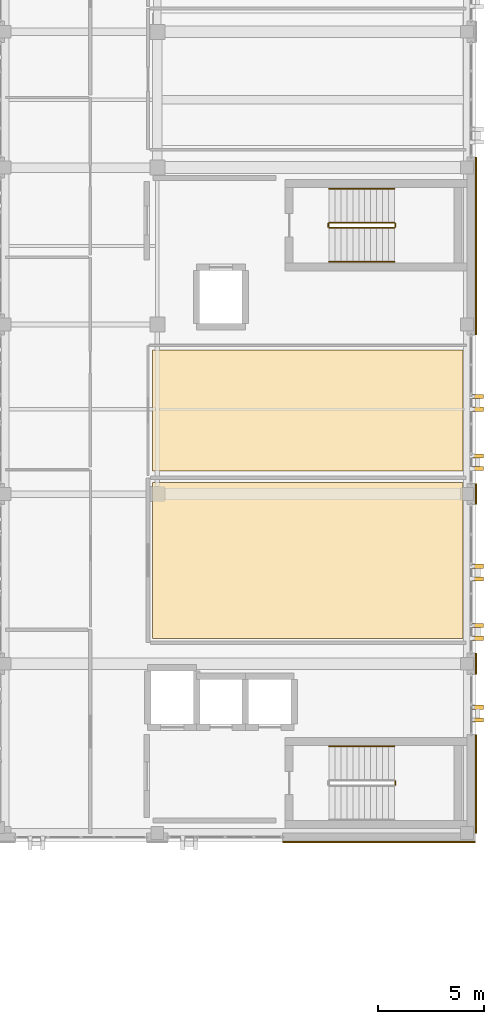
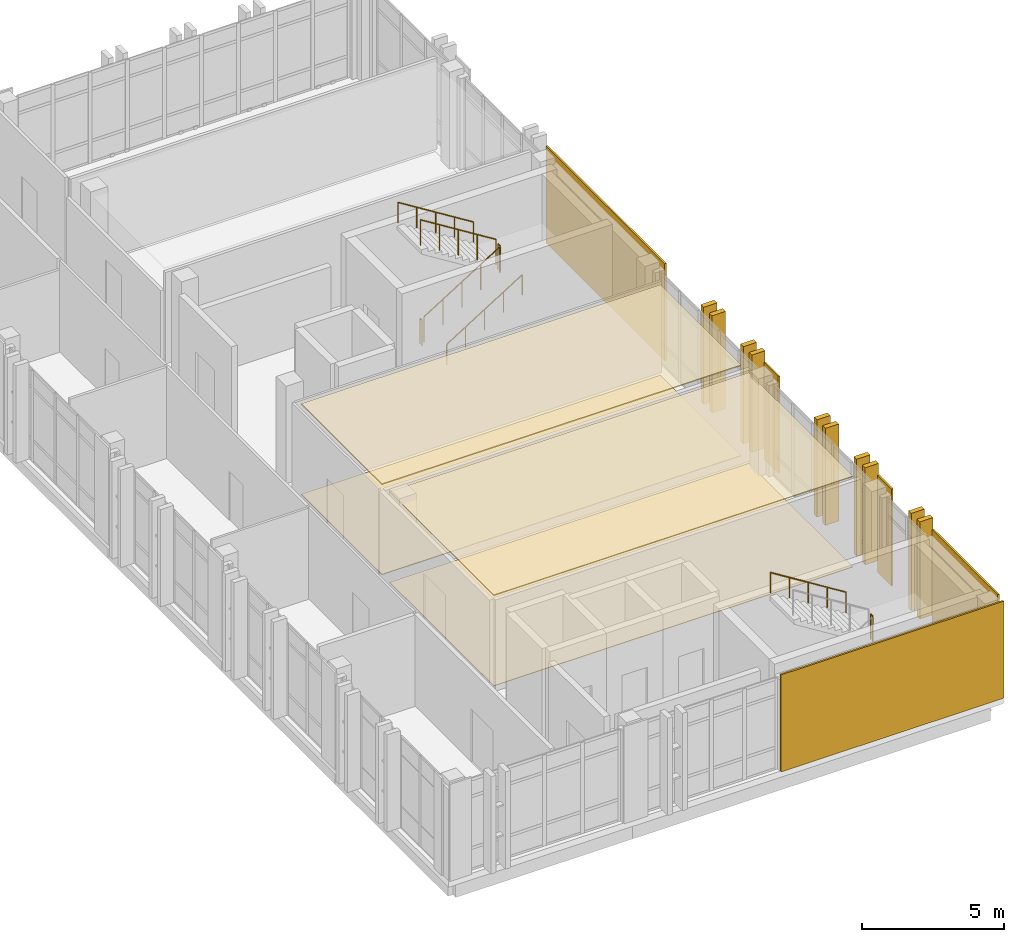
# One storey, part 81 of 90: 19 coverings, 8 railings.
"""IFC4 building model written with IfcOpenShell, lengths in metres."""

from ifc_helpers import new_model, si_unit, direction, frame, origin, origin_2d, place, context, subcontext, project, spatial, polyline, rectangle, circle, outline, extrude, material, layer, layer_set, type_object, element, save


model = new_model("IFC4")

# Units and contexts
model_context = context("Model", 3, precision=1e-05, world=origin(), true_north=direction((0.0, 1.0)))
body_context = subcontext(model_context, "Body", "Model", "MODEL_VIEW")
ifc_project = project(units=[si_unit("LENGTHUNIT", "METRE"), si_unit("AREAUNIT", "SQUARE_METRE"), si_unit("VOLUMEUNIT", "CUBIC_METRE"), si_unit("PLANEANGLEUNIT", "RADIAN"), si_unit("MASSUNIT", "GRAM", prefix="KILO")], contexts=[model_context])

# Site, building, storey
site_placement = place(None, origin())
site = spatial("IfcSite", under=ifc_project, at=site_placement, CompositionType="ELEMENT")
building_placement = place(site_placement, origin())
building = spatial("IfcBuilding", under=site, at=building_placement, Name="Qalavern Law Courts", CompositionType="ELEMENT")
storey_placement = place(building_placement, frame((0.0, 0.0, 22.800048828125)))
storey = spatial("IfcBuildingStorey", under=building, at=storey_placement, Name="L05", CompositionType="ELEMENT", Elevation=22.800048828125)

# Coverings
ifc_material_1 = material(Name="Precast concrete C40/50", Category="concrete")
ifc_layer_1 = layer(ifc_material_1, 0.199951171875)
ifc_layer_set_1 = layer_set([ifc_layer_1], Name="Precast concrete C40/50")
covering_type_1 = type_object("IfcCoveringType", Name="ENV-BLD-1", PredefinedType="CLADDING", material=ifc_layer_set_1)
for number, where, z_axis, x_axis, name in (
    (1, (106.91748046875, 46.75, 0.0048828125), (0.0, 0.0, 1.0), (1.0, 0.0, 0.0), "Absheron stone facade blade 0717"),
    (2, (106.91748046875, 47.35009765625, 0.0048828125), (0.0, 0.0, 1.0), (1.0, 0.0, 0.0), "Absheron stone facade blade 0718"),
    (3, (106.91748046875, 50.60009765625, 0.0048828125), (0.0, 0.0, 1.0), (1.0, 0.0, 0.0), "Absheron stone facade blade 0719"),
    (4, (106.91748046875, 51.199951171875, 0.0048828125), (0.0, 0.0, 1.0), (1.0, 0.0, 0.0), "Absheron stone facade blade 0720"),
    (5, (106.91748046875, 53.39990234375, 0.0048828125), (0.0, 0.0, 1.0), (1.0, 0.0, 0.0), "Absheron stone facade blade 0721"),
    (6, (106.91748046875, 54.0, 0.0048828125), (0.0, 0.0, 1.0), (1.0, 0.0, 0.0), "Absheron stone facade blade 0722"),
    (7, (106.91748046875, 58.60009765625, 0.0048828125), (0.0, 0.0, 1.0), (1.0, 0.0, 0.0), "Absheron stone facade blade 0723"),
    (8, (106.91748046875, 59.199951171875, 0.0048828125), (0.0, 0.0, 1.0), (1.0, 0.0, 0.0), "Absheron stone facade blade 0724"),
    (9, (106.91748046875, 61.39990234375, 0.0048828125), (0.0, 0.0, 1.0), (1.0, 0.0, 0.0), "Absheron stone facade blade 0725"),
    (10, (106.91748046875, 62.0, 0.0048828125), (0.0, 0.0, 1.0), (1.0, 0.0, 0.0), "Absheron stone facade blade 0726"),
):
    element("IfcCovering", number, at=place(storey_placement, frame(where, z_axis=z_axis, x_axis=x_axis)), inside=storey, type_object=covering_type_1, Name=name, PredefinedType="CLADDING", context=body_context, shape_type="SweptSolid", body=[
        extrude(rectangle(XDim=0.5400390625, YDim=0.199951171875, at=origin_2d()), origin(), (0.0, 0.0, 1.0), 4.18994140625),
    ])
ifc_layer_2 = layer(ifc_material_1, 0.072021484375)
ifc_layer_set_2 = layer_set([ifc_layer_2], Name="Precast concrete C40/50")
covering_type_2 = type_object("IfcCoveringType", Name="ENV-CLD-2", PredefinedType="CLADDING", material=ifc_layer_set_2)
covering_1_placement = place(storey_placement, frame((102.25, 40.987060546875, 0.009765625), z_axis=(0.0, 0.0, 1.0), x_axis=(1.0, 0.0, 0.0)))
element("IfcCovering", 11, at=covering_1_placement, inside=storey, type_object=covering_type_2, Name="V4 Absheron limestone pier facing L05 south 3", PredefinedType="CLADDING", context=body_context, shape_type="SweptSolid", body=[
    extrude(rectangle(XDim=9.080078125, YDim=0.072021484375, at=origin_2d()), origin(), (0.0, 0.0, 1.0), 4.179931640625),
])
covering_2_placement = place(storey_placement, frame((106.8330078125, 43.72509765625, 0.009765625), z_axis=(0.0, 0.0, 1.0), x_axis=(0.0, 1.0, 0.0)))
element("IfcCovering", 12, at=covering_2_placement, inside=storey, type_object=covering_type_2, Name="V4 Absheron limestone pier facing L05 east 1", PredefinedType="CLADDING", context=body_context, shape_type="SweptSolid", body=[
    extrude(rectangle(XDim=4.6298828125, YDim=0.072021484375, at=origin_2d()), origin(), (0.0, 0.0, 1.0), 4.179931640625),
])
for number, where, z_axis, x_axis, name in (
    (13, (106.8330078125, 49.39990234375, 0.009765625), (0.0, 0.0, 1.0), (0.0, 1.0, 0.0), "V4 Absheron limestone pier facing L05 east 2"),
    (14, (106.8330078125, 57.39990234375, 0.009765625), (0.0, 0.0, 1.0), (0.0, 1.0, 0.0), "V4 Absheron limestone pier facing L05 east 3"),
):
    element("IfcCovering", number, at=place(storey_placement, frame(where, z_axis=z_axis, x_axis=x_axis)), inside=storey, type_object=covering_type_2, Name=name, PredefinedType="CLADDING", context=body_context, shape_type="SweptSolid", body=[
        extrude(rectangle(XDim=0.97998046875, YDim=0.072021484375, at=origin_2d()), origin(), (0.0, 0.0, 1.0), 4.179931640625),
    ])
covering_3_placement = place(storey_placement, frame((106.8330078125, 69.10009765625, 0.009765625), z_axis=(0.0, 0.0, 1.0), x_axis=(0.0, 1.0, 0.0)))
element("IfcCovering", 15, at=covering_3_placement, inside=storey, type_object=covering_type_2, Name="V4 Absheron limestone pier facing L05 east 4", PredefinedType="CLADDING", context=body_context, shape_type="SweptSolid", body=[
    extrude(rectangle(XDim=8.3798828125, YDim=0.072021484375, at=origin_2d()), origin(), (0.0, 0.0, 1.0), 4.179931640625),
])
ifc_material_2 = material(Name="Perforated gypsum and mineral-wool acoustic ceiling")
ifc_layer_3 = layer(ifc_material_2, 0.0380859375)
ifc_layer_set_3 = layer_set([ifc_layer_3], Name="Perforated gypsum and mineral-wool acoustic ceiling")
covering_type_3 = type_object("IfcCoveringType", Name="INT-CEIL-1", PredefinedType="CEILING", material=ifc_layer_set_3)
covering_4_placement = place(storey_placement, frame((0.0, 0.0, 3.891845703125)))
element("IfcCovering", 16, at=covering_4_placement, inside=storey, type_object=covering_type_3, Name="Appellate Courtroom acoustic ceiling L05", PredefinedType="CEILING", context=body_context, shape_type="SweptSolid", body=[
    extrude(outline(polyline([(91.570068359375, 50.60009765625), (106.2099609375, 50.60009765625), (106.2099609375, 57.955078125), (91.570068359375, 57.955078125), (91.570068359375, 50.60009765625)])), origin(), (0.0, 0.0, 1.0), 0.0380859375),
])
ifc_layer_4 = layer(ifc_material_2, 0.0458984375)
ifc_layer_set_4 = layer_set([ifc_layer_4], Name="Perforated gypsum and mineral-wool acoustic ceiling")
covering_type_4 = type_object("IfcCoveringType", Name="INT-CEIL-2", PredefinedType="CEILING", material=ifc_layer_set_4)
covering_5_placement = place(storey_placement, frame((0.0, 0.0, 3.884033203125)))
element("IfcCovering", 17, at=covering_5_placement, inside=storey, type_object=covering_type_4, Name="Civil Courtroom acoustic ceiling L05", PredefinedType="CEILING", context=body_context, shape_type="SweptSolid", body=[
    extrude(outline(polyline([(91.570068359375, 58.4951171875), (106.2099609375, 58.4951171875), (106.2099609375, 64.199951171875), (91.570068359375, 64.199951171875), (91.570068359375, 58.4951171875)])), origin(), (0.0, 0.0, 1.0), 0.0458984375),
])
ifc_material_3 = material(Name="Acoustic engineered oak courtroom flooring")
ifc_layer_5 = layer(ifc_material_3, 0.02197265625)
ifc_layer_set_5 = layer_set([ifc_layer_5], Name="Acoustic engineered oak courtroom flooring")
covering_type_5 = type_object("IfcCoveringType", Name="INT-FLR-1", PredefinedType="FLOORING", material=ifc_layer_set_5)
covering_6_placement = place(storey_placement, origin())
element("IfcCovering", 18, at=covering_6_placement, inside=storey, type_object=covering_type_5, Name="Appellate Courtroom finish flooring L05", PredefinedType="FLOORING", context=body_context, shape_type="SweptSolid", body=[
    extrude(outline(polyline([(91.570068359375, 50.60009765625), (106.2099609375, 50.60009765625), (106.2099609375, 57.955078125), (91.570068359375, 57.955078125), (91.570068359375, 50.60009765625)])), origin(), (0.0, 0.0, 1.0), 0.02197265625),
])
ifc_material_4 = material(Name="Polished Absheron stone terrazzo flooring", Category="masonry")
ifc_layer_6 = layer(ifc_material_4, 0.030029296875)
ifc_layer_set_6 = layer_set([ifc_layer_6], Name="Polished Absheron stone terrazzo flooring")
covering_type_6 = type_object("IfcCoveringType", Name="INT-FLR-2", PredefinedType="FLOORING", material=ifc_layer_set_6)
covering_7_placement = place(storey_placement, origin())
element("IfcCovering", 19, at=covering_7_placement, inside=storey, type_object=covering_type_6, Name="Civil Courtroom finish flooring L05", PredefinedType="FLOORING", context=body_context, shape_type="SweptSolid", body=[
    extrude(outline(polyline([(91.570068359375, 58.4951171875), (106.2099609375, 58.4951171875), (106.2099609375, 64.199951171875), (91.570068359375, 64.199951171875), (91.570068359375, 58.4951171875)])), origin(), (0.0, 0.0, 1.0), 0.030029296875),
])

# Railings
ifc_material_5 = material(Name="Steel S355", Category="steel")
railing_type_1 = type_object("IfcRailingType", Name="INT-GUARD-1120", PredefinedType="BALUSTRADE", material=ifc_material_5)
railing_1_placement = place(storey_placement, frame((103.030029296875, 43.699951171875, 2.099853515625)))
element("IfcRailing", 20, at=railing_1_placement, inside=storey, type_object=railing_type_1, Name="L05 ST-K1A stair guard 2", PredefinedType="BALUSTRADE", context=body_context, shape_type="SweptSolid", body=[
    extrude(circle(Radius=0.02392578125, at=origin_2d()), frame((0.0, 0.0, 1.09619140625), z_axis=(0.0, 1.0, 0.0), x_axis=(-1.0, 0.0, 0.0)), (0.0, 0.0, 1.0), 0.150146484375),
    extrude(circle(Radius=0.02099609375, at=origin_2d()), origin(), (0.0, 0.0, 1.0), 1.072021484375),
    extrude(circle(Radius=0.02099609375, at=origin_2d()), frame((0.0, 0.150146484375, 0.0)), (0.0, 0.0, 1.0), 1.072021484375),
])
railing_2_placement = place(storey_placement, frame((99.89990234375, 69.949951171875, 0.175048828125)))
element("IfcRailing", 21, at=railing_2_placement, inside=storey, type_object=railing_type_1, Name="L05 ST-K1B stair guard 1", PredefinedType="BALUSTRADE", context=body_context, shape_type="SweptSolid", body=[
    extrude(circle(Radius=0.02392578125, at=origin_2d()), frame((0.0, 0.0, 1.09619140625), z_axis=(0.848028513186, 0.0, 0.529950602248), x_axis=(0.0, 1.0, 0.0)), (0.0, 0.0, 1.0), 3.632080078125),
    extrude(circle(Radius=0.02099609375, at=origin_2d()), origin(), (0.0, 0.0, 1.0), 1.072021484375),
    extrude(circle(Radius=0.02099609375, at=origin_2d()), frame((0.77001953125, 0.0, 0.481201171875)), (0.0, 0.0, 1.0), 1.072021484375),
    extrude(circle(Radius=0.02099609375, at=origin_2d()), frame((1.5400390625, 0.0, 0.96240234375)), (0.0, 0.0, 1.0), 1.072021484375),
    extrude(circle(Radius=0.02099609375, at=origin_2d()), frame((2.31005859375, 0.0, 1.443603515625)), (0.0, 0.0, 1.0), 1.072021484375),
    extrude(circle(Radius=0.02099609375, at=origin_2d()), frame((3.080078125, 0.0, 1.9248046875)), (0.0, 0.0, 1.0), 1.072021484375),
])
railing_3_placement = place(storey_placement, frame((103.030029296875, 70.0, 2.099853515625)))
element("IfcRailing", 22, at=railing_3_placement, inside=storey, type_object=railing_type_1, Name="L05 ST-K1B stair guard 2", PredefinedType="BALUSTRADE", context=body_context, shape_type="SweptSolid", body=[
    extrude(circle(Radius=0.02392578125, at=origin_2d()), frame((0.0, 0.0, 1.09619140625), z_axis=(0.0, 1.0, 0.0), x_axis=(-1.0, 0.0, 0.0)), (0.0, 0.0, 1.0), 0.14990234375),
    extrude(circle(Radius=0.02099609375, at=origin_2d()), origin(), (0.0, 0.0, 1.0), 1.072021484375),
    extrude(circle(Radius=0.02099609375, at=origin_2d()), frame((0.0, 0.14990234375, 0.0)), (0.0, 0.0, 1.0), 1.072021484375),
])
railing_4_placement = place(storey_placement, frame((102.97998046875, 70.199951171875, 2.27490234375)))
element("IfcRailing", 23, at=railing_4_placement, inside=storey, type_object=railing_type_1, Name="L05 ST-K1B stair guard 3", PredefinedType="BALUSTRADE", context=body_context, shape_type="SweptSolid", body=[
    extrude(circle(Radius=0.02392578125, at=origin_2d()), frame((0.0, 0.0, 1.09619140625), z_axis=(-0.847998304005, 0.0, 0.529998940003), x_axis=(0.0, -1.0, 0.0)), (0.0, 0.0, 1.0), 3.632080078125),
    extrude(circle(Radius=0.02099609375, at=origin_2d()), origin(), (0.0, 0.0, 1.0), 1.072021484375),
    extrude(circle(Radius=0.02099609375, at=origin_2d()), frame((-0.77001953125, 0.0, 0.481201171875)), (0.0, 0.0, 1.0), 1.072021484375),
    extrude(circle(Radius=0.02099609375, at=origin_2d()), frame((-1.5400390625, 0.0, 0.96240234375)), (0.0, 0.0, 1.0), 1.072021484375),
    extrude(circle(Radius=0.02099609375, at=origin_2d()), frame((-2.31005859375, 0.0, 1.44384765625)), (0.0, 0.0, 1.0), 1.072021484375),
    extrude(circle(Radius=0.02099609375, at=origin_2d()), frame((-3.080078125, 0.0, 1.925048828125)), (0.0, 0.0, 1.0), 1.072021484375),
])
railing_5_placement = place(storey_placement, frame((99.85009765625, 70.0, 0.0)))
element("IfcRailing", 24, at=railing_5_placement, inside=storey, type_object=railing_type_1, Name="L05 ST-K1B stair guard 4", PredefinedType="BALUSTRADE", context=body_context, shape_type="SweptSolid", body=[
    extrude(circle(Radius=0.02392578125, at=origin_2d()), frame((0.0, 0.0, 1.09619140625), z_axis=(0.0, 1.0, 0.0), x_axis=(-1.0, 0.0, 0.0)), (0.0, 0.0, 1.0), 0.14990234375),
    extrude(circle(Radius=0.02099609375, at=origin_2d()), origin(), (0.0, 0.0, 1.0), 1.072021484375),
    extrude(circle(Radius=0.02099609375, at=origin_2d()), frame((0.0, 0.14990234375, 0.0)), (0.0, 0.0, 1.0), 1.072021484375),
])
railing_type_2 = type_object("IfcRailingType", Name="INT-HRAIL-920", PredefinedType="HANDRAIL", material=ifc_material_5)
railing_6_placement = place(storey_placement, frame((102.97998046875, 45.5, 2.27490234375)))
element("IfcRailing", 25, at=railing_6_placement, inside=storey, type_object=railing_type_2, Name="L05 ST-K1A stair handrail 2", PredefinedType="HANDRAIL", context=body_context, shape_type="SweptSolid", body=[
    extrude(circle(Radius=0.02392578125, at=origin_2d()), frame((0.0, 0.0, 0.8759765625), z_axis=(-0.847998304005, 0.0, 0.529998940003), x_axis=(0.0, -1.0, 0.0)), (0.0, 0.0, 1.0), 3.632080078125),
    extrude(circle(Radius=0.02099609375, at=origin_2d()), origin(), (0.0, 0.0, 1.0), 0.851806640625),
    extrude(circle(Radius=0.02099609375, at=origin_2d()), frame((-0.77001953125, 0.0, 0.481201171875)), (0.0, 0.0, 1.0), 0.851806640625),
    extrude(circle(Radius=0.02099609375, at=origin_2d()), frame((-1.5400390625, 0.0, 0.96240234375)), (0.0, 0.0, 1.0), 0.851806640625),
    extrude(circle(Radius=0.02099609375, at=origin_2d()), frame((-2.31005859375, 0.0, 1.44384765625)), (0.0, 0.0, 1.0), 0.851806640625),
    extrude(circle(Radius=0.02099609375, at=origin_2d()), frame((-3.080078125, 0.0, 1.925048828125)), (0.0, 0.0, 1.0), 0.851806640625),
])
railing_7_placement = place(storey_placement, frame((99.89990234375, 68.35009765625, 0.175048828125)))
element("IfcRailing", 26, at=railing_7_placement, inside=storey, type_object=railing_type_2, Name="L05 ST-K1B stair handrail 1", PredefinedType="HANDRAIL", context=body_context, shape_type="SweptSolid", body=[
    extrude(circle(Radius=0.02392578125, at=origin_2d()), frame((0.0, 0.0, 0.8759765625), z_axis=(0.848028513186, 0.0, 0.529950602248), x_axis=(0.0, 1.0, 0.0)), (0.0, 0.0, 1.0), 3.632080078125),
    extrude(circle(Radius=0.02099609375, at=origin_2d()), origin(), (0.0, 0.0, 1.0), 0.851806640625),
    extrude(circle(Radius=0.02099609375, at=origin_2d()), frame((0.77001953125, 0.0, 0.481201171875)), (0.0, 0.0, 1.0), 0.851806640625),
    extrude(circle(Radius=0.02099609375, at=origin_2d()), frame((1.5400390625, 0.0, 0.96240234375)), (0.0, 0.0, 1.0), 0.851806640625),
    extrude(circle(Radius=0.02099609375, at=origin_2d()), frame((2.31005859375, 0.0, 1.443603515625)), (0.0, 0.0, 1.0), 0.851806640625),
    extrude(circle(Radius=0.02099609375, at=origin_2d()), frame((3.080078125, 0.0, 1.9248046875)), (0.0, 0.0, 1.0), 0.851806640625),
])
railing_8_placement = place(storey_placement, frame((102.97998046875, 71.800048828125, 2.27490234375)))
element("IfcRailing", 27, at=railing_8_placement, inside=storey, type_object=railing_type_2, Name="L05 ST-K1B stair handrail 2", PredefinedType="HANDRAIL", context=body_context, shape_type="SweptSolid", body=[
    extrude(circle(Radius=0.02392578125, at=origin_2d()), frame((0.0, 0.0, 0.8759765625), z_axis=(-0.847998304005, 0.0, 0.529998940003), x_axis=(0.0, -1.0, 0.0)), (0.0, 0.0, 1.0), 3.632080078125),
    extrude(circle(Radius=0.02099609375, at=origin_2d()), origin(), (0.0, 0.0, 1.0), 0.851806640625),
    extrude(circle(Radius=0.02099609375, at=origin_2d()), frame((-0.77001953125, 0.0, 0.481201171875)), (0.0, 0.0, 1.0), 0.851806640625),
    extrude(circle(Radius=0.02099609375, at=origin_2d()), frame((-1.5400390625, 0.0, 0.96240234375)), (0.0, 0.0, 1.0), 0.851806640625),
    extrude(circle(Radius=0.02099609375, at=origin_2d()), frame((-2.31005859375, 0.0, 1.44384765625)), (0.0, 0.0, 1.0), 0.851806640625),
    extrude(circle(Radius=0.02099609375, at=origin_2d()), frame((-3.080078125, 0.0, 1.925048828125)), (0.0, 0.0, 1.0), 0.851806640625),
])

save(model, "model.ifc")
